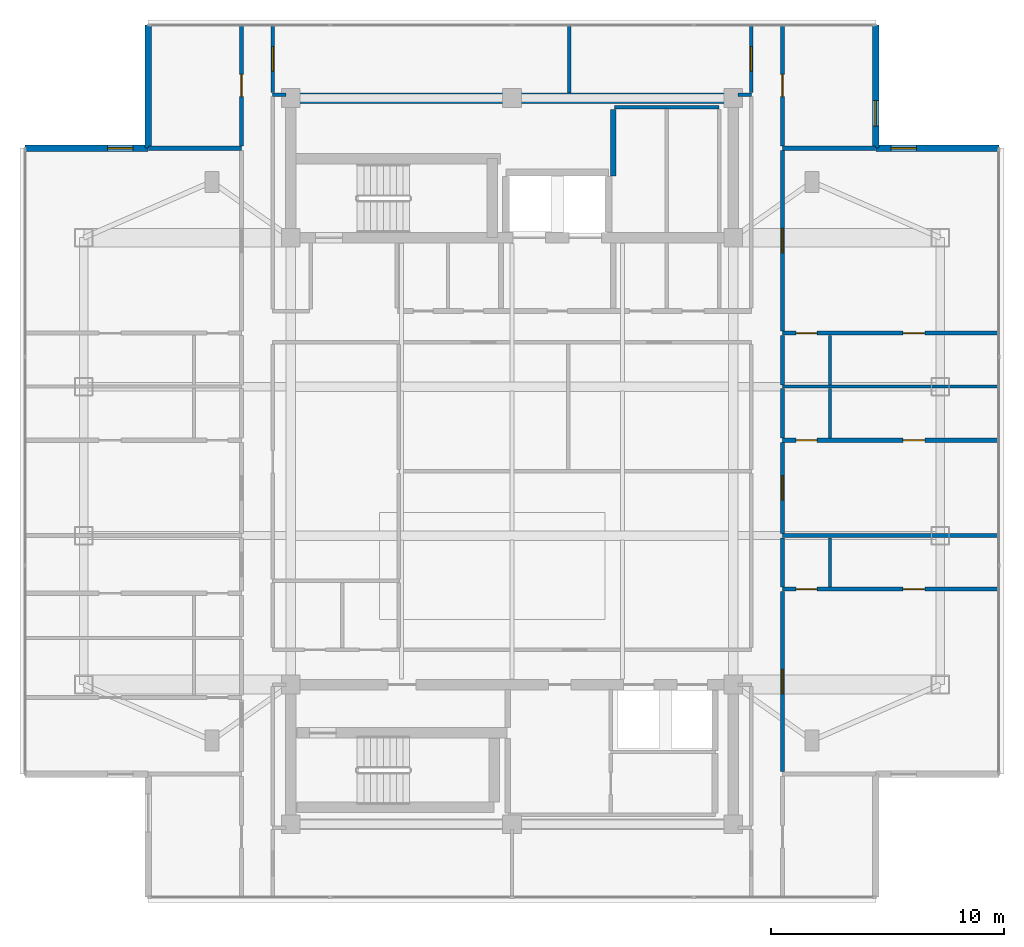
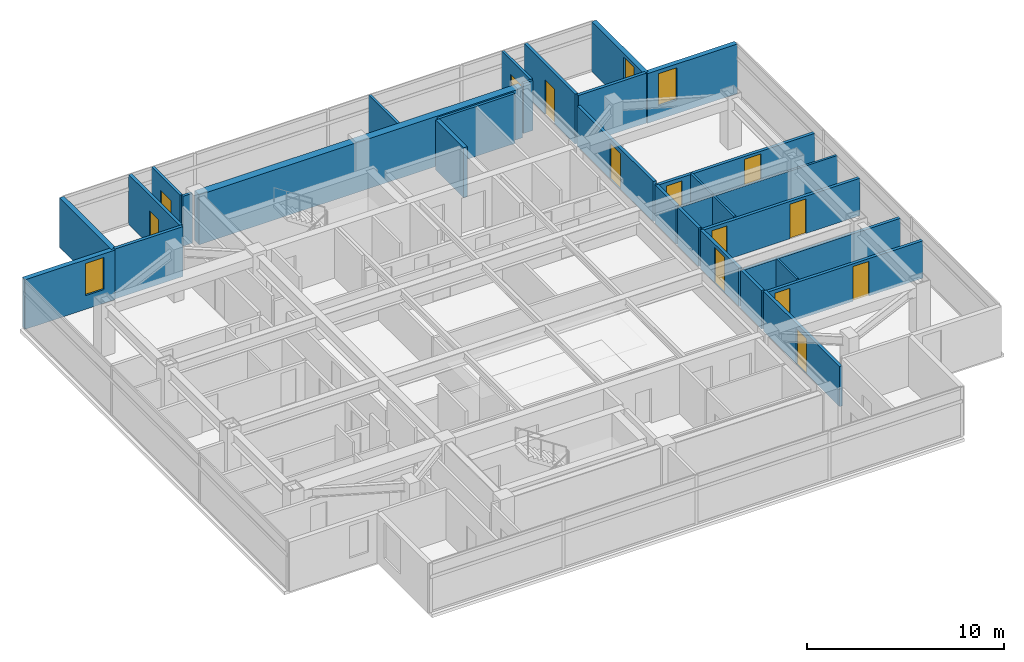
# One storey, part 10 of 15: 30 walls, 13 doors, 3 windows, 16 openings.
"""IFC4 building model written with IfcOpenShell, lengths in metres."""

from ifc_helpers import new_model, si_unit, direction, frame, frame_2d, origin, place, context, subcontext, project, spatial, rectangle, extrude, material, layer, layer_set, type_object, element, fill, save


model = new_model("IFC4")

# Units and contexts
model_context = context("Model", 3, precision=1e-05, world=origin(), true_north=direction((0.0, 1.0)))
body_context = subcontext(model_context, "Body", "Model", "MODEL_VIEW")
ifc_project = project(units=[si_unit("LENGTHUNIT", "METRE"), si_unit("AREAUNIT", "SQUARE_METRE"), si_unit("VOLUMEUNIT", "CUBIC_METRE"), si_unit("PLANEANGLEUNIT", "RADIAN"), si_unit("MASSUNIT", "GRAM", prefix="KILO")], contexts=[model_context])

# Site, building, storey
site_placement = place(None, origin())
site = spatial("IfcSite", under=ifc_project, at=site_placement, CompositionType="ELEMENT")
building_placement = place(site_placement, origin())
building = spatial("IfcBuilding", under=site, at=building_placement, Name="Mirazonda Arch Towers", CompositionType="ELEMENT")
storey_placement = place(building_placement, frame((0.0, 0.0, 229.300048828125)))
storey = spatial("IfcBuildingStorey", under=building, at=storey_placement, Name="L65", CompositionType="ELEMENT", Elevation=229.300048828125)

# Wall
ifc_material_1 = material(Name="Concrete C50/60", Category="concrete")
ifc_layer_1 = layer(ifc_material_1, 0.449951171875, Name="WALL-CORE-450")
ifc_layer_set_1 = layer_set([ifc_layer_1], Name="Concrete C50/60")
wall_type_1 = type_object("IfcWallType", Name="WALL-CORE-450", PredefinedType="SHEAR", material=ifc_layer_set_1)
wall_1_placement = place(storey_placement, frame((11.0, 43.60009765625, 0.0), z_axis=(0.0, 0.0, 1.0), x_axis=(1.0, 0.0, 0.0)))
element("IfcWall", 1, at=wall_1_placement, inside=storey, type_object=wall_type_1, Name="L65 T1N-N Core Shear Wall", PredefinedType="SHEAR", context=body_context, shape_type="SweptSolid", body=[
    extrude(rectangle(XDim=19.0, YDim=0.449951171875, at=frame_2d((9.5, 0.0))), origin(), (0.0, 0.0, 1.0), 3.099853515625),
])

# Wall, opening, window
ifc_material_2 = material(Name="Precast Concrete C40/50", Category="concrete")
ifc_layer_2 = layer(ifc_material_2, 0.280029296875, Name="WALL-EXT-WALL-280")
ifc_layer_set_2 = layer_set([ifc_layer_2], Name="Precast Concrete C40/50")
wall_type_2 = type_object("IfcWallType", Name="WALL-EXT-WALL-280", PredefinedType="SOLIDWALL", material=ifc_layer_set_2)
wall_2_placement = place(storey_placement, frame((36.1298828125, 41.444091796875, 0.0), z_axis=(0.0, 0.0, 1.0), x_axis=(0.0, 1.0, 0.0)))
wall_2 = element("IfcWall", 2, at=wall_2_placement, inside=storey, type_object=wall_type_2, Name="L65 T1 Notched NE Corner Wall WL-L65-T1-CNE", PredefinedType="SOLIDWALL", context=body_context, shape_type="SweptSolid", body=[
    extrude(rectangle(XDim=5.289794921875, YDim=0.280029296875, at=frame_2d((2.64501953125, 0.0))), origin(), (0.0, 0.0, 1.0), 3.079833984375),
])
opening_1_placement = place(wall_2_placement, frame((0.949951171875, 0.0, 0.85009765625)))
opening_1 = element("IfcOpeningElement", 3, at=opening_1_placement, cuts=wall_2, Name="Opening WN-108", PredefinedType="OPENING", context=body_context, shape_type="SweptSolid", body=[
    extrude(rectangle(XDim=1.10009765625, YDim=2.0, at=frame_2d((0.550048828125, 1.0))), frame((0.0, 0.14990234375, 0.0), z_axis=(0.0, -1.0, 0.0), x_axis=(1.0, 0.0, 0.0)), (0.0, 0.0, 1.0), 0.300048828125),
])
ifc_material_3 = material(Name="Insulated Low-E Solar Glass", Category="glass")
window_type = type_object("IfcWindowType", Name="WIN-NOTCH-1100x2000", PartitioningType="SINGLE_PANEL", PredefinedType="WINDOW", material=ifc_material_3)
window_1_placement = place(opening_1_placement, origin())
window_1 = element("IfcWindow", 4, at=window_1_placement, inside=storey, type_object=window_type, Name="L65 Punched Facade Window WN-L65-T1-CNE", OverallHeight=2.0, OverallWidth=1.10009765625, PartitioningType="SINGLE_PANEL", PredefinedType="WINDOW", context=body_context, shape_type="SweptSolid", body=[
    extrude(rectangle(XDim=1.10009765625, YDim=2.0, at=frame_2d((0.550048828125, 1.0))), frame((0.0, 0.030029296875, 0.0), z_axis=(0.0, -1.0, 0.0), x_axis=(1.0, 0.0, 0.0)), (0.0, 0.0, 1.0), 0.06005859375),
])
fill(opening_1, window_1)

wall_3_placement = place(storey_placement, frame((4.8701171875, 41.444091796875, 0.0), z_axis=(0.0, 0.0, 1.0), x_axis=(-1.0, 0.0, 0.0)))
wall_3 = element("IfcWall", 5, at=wall_3_placement, inside=storey, type_object=wall_type_2, Name="L65 T1 Corner Notch Return Wall WL-L65-T1-CNW1", PredefinedType="SOLIDWALL", context=body_context, shape_type="SweptSolid", body=[
    extrude(rectangle(XDim=5.2900390625, YDim=0.280029296875, at=frame_2d((2.64501953125, 0.0))), origin(), (0.0, 0.0, 1.0), 3.079833984375),
])
opening_2_placement = place(wall_3_placement, frame((0.64990234375, 0.0, 0.85009765625)))
opening_2 = element("IfcOpeningElement", 6, at=opening_2_placement, cuts=wall_3, Name="Opening WN-108", PredefinedType="OPENING", context=body_context, shape_type="SweptSolid", body=[
    extrude(rectangle(XDim=1.10009765625, YDim=2.0, at=frame_2d((0.550048828125, 1.0))), frame((0.0, 0.14990234375, 0.0), z_axis=(0.0, -1.0, 0.0), x_axis=(1.0, 0.0, 0.0)), (0.0, 0.0, 1.0), 0.300048828125),
])
window_2_placement = place(opening_2_placement, origin())
window_2 = element("IfcWindow", 7, at=window_2_placement, inside=storey, type_object=window_type, Name="L65 Punched Facade Window WN-L65-T1-CNW1", OverallHeight=2.0, OverallWidth=1.10009765625, PartitioningType="SINGLE_PANEL", PredefinedType="WINDOW", context=body_context, shape_type="SweptSolid", body=[
    extrude(rectangle(XDim=1.10009765625, YDim=2.0, at=frame_2d((0.550048828125, 1.0))), frame((0.0, 0.030029296875, 0.0), z_axis=(0.0, -1.0, 0.0), x_axis=(1.0, 0.0, 0.0)), (0.0, 0.0, 1.0), 0.06005859375),
])
fill(opening_2, window_2)

# Wall
wall_4_placement = place(storey_placement, frame((4.8701171875, 46.73388671875, 0.0), z_axis=(0.0, 0.0, 1.0), x_axis=(0.0, -1.0, 0.0)))
element("IfcWall", 8, at=wall_4_placement, inside=storey, type_object=wall_type_2, Name="L65 T1 Corner Notch Return Wall WL-L65-T1-CNW2", PredefinedType="SOLIDWALL", context=body_context, shape_type="SweptSolid", body=[
    extrude(rectangle(XDim=5.289794921875, YDim=0.280029296875, at=frame_2d((2.64501953125, 0.0))), origin(), (0.0, 0.0, 1.0), 3.079833984375),
])

# Wall, opening, window
wall_5_placement = place(storey_placement, frame((41.419921875, 41.444091796875, 0.0), z_axis=(0.0, 0.0, 1.0), x_axis=(-1.0, 0.0, 0.0)))
wall_5 = element("IfcWall", 9, at=wall_5_placement, inside=storey, type_object=wall_type_2, Name="L65 T1 Corner Notch Return Wall WL-L65-T1-CNE2", PredefinedType="SOLIDWALL", context=body_context, shape_type="SweptSolid", body=[
    extrude(rectangle(XDim=5.2900390625, YDim=0.280029296875, at=frame_2d((2.64501953125, 0.0))), origin(), (0.0, 0.0, 1.0), 3.079833984375),
])
opening_3_placement = place(wall_5_placement, frame((3.5400390625, 0.0, 0.85009765625)))
opening_3 = element("IfcOpeningElement", 10, at=opening_3_placement, cuts=wall_5, Name="Opening WN-108", PredefinedType="OPENING", context=body_context, shape_type="SweptSolid", body=[
    extrude(rectangle(XDim=1.10009765625, YDim=2.0, at=frame_2d((0.550048828125, 1.0))), frame((0.0, 0.14990234375, 0.0), z_axis=(0.0, -1.0, 0.0), x_axis=(1.0, 0.0, 0.0)), (0.0, 0.0, 1.0), 0.300048828125),
])
window_3_placement = place(opening_3_placement, origin())
window_3 = element("IfcWindow", 11, at=window_3_placement, inside=storey, type_object=window_type, Name="L65 Punched Facade Window WN-L65-T1-CNE2", OverallHeight=2.0, OverallWidth=1.10009765625, PartitioningType="SINGLE_PANEL", PredefinedType="WINDOW", context=body_context, shape_type="SweptSolid", body=[
    extrude(rectangle(XDim=1.10009765625, YDim=2.0, at=frame_2d((0.550048828125, 1.0))), frame((0.0, 0.030029296875, 0.0), z_axis=(0.0, -1.0, 0.0), x_axis=(1.0, 0.0, 0.0)), (0.0, 0.0, 1.0), 0.06005859375),
])
fill(opening_3, window_3)

# Walls
ifc_material_4 = material(Name="Concrete C40/50", Category="concrete")
ifc_layer_3 = layer(ifc_material_4, 0.219970703125, Name="WALL-FFL-220")
ifc_layer_set_3 = layer_set([ifc_layer_3], Name="Concrete C40/50")
wall_type_3 = type_object("IfcWallType", Name="WALL-FFL-220", PredefinedType="SOLIDWALL", material=ifc_layer_set_3)
wall_6_placement = place(storey_placement, frame((24.85009765625, 40.260009765625, 0.0), z_axis=(0.0, 0.0, 1.0), x_axis=(0.0, 1.0, 0.0)))
element("IfcWall", 12, at=wall_6_placement, inside=storey, type_object=wall_type_3, Name="L65 Interior Partition 074", PredefinedType="SOLIDWALL", context=body_context, shape_type="SweptSolid", body=[
    extrude(rectangle(XDim=2.85498046875, YDim=0.219970703125, at=frame_2d((1.427490234375, 0.0))), origin(), (0.0, 0.0, 1.0), 3.099853515625),
])
ifc_material_5 = material(Name="Fire-Rated Gypsum Stud Partition")
ifc_layer_4 = layer(ifc_material_5, 0.14990234375, Name="WALL-PART-CORR-150")
ifc_layer_set_4 = layer_set([ifc_layer_4], Name="Fire-Rated Gypsum Stud Partition")
wall_type_4 = type_object("IfcWallType", Name="WALL-PART-CORR-150", PredefinedType="PARTITIONING", material=ifc_layer_set_4)
wall_7_placement = place(storey_placement, frame((24.89990234375, 43.199951171875, 0.0), z_axis=(0.0, 0.0, 1.0), x_axis=(1.0, 0.0, 0.0)))
element("IfcWall", 13, at=wall_7_placement, inside=storey, type_object=wall_type_4, Name="L65 Interior Partition 032", PredefinedType="PARTITIONING", context=body_context, shape_type="SweptSolid", body=[
    extrude(rectangle(XDim=4.5, YDim=0.14990234375, at=frame_2d((2.25, 0.0))), origin(), (0.0, 0.0, 1.0), 3.099853515625),
])
for number, where, z_axis, x_axis, name in (
    (14, (10.219970703125, 43.75, 0.0), (0.0, 0.0, 1.0), (1.0, 0.0, 0.0), "L65 Interior Partition 033"),
    (15, (30.219970703125, 43.75, 0.0), (0.0, 0.0, 1.0), (1.0, 0.0, 0.0), "L65 Interior Partition 034"),
):
    element("IfcWall", number, at=place(storey_placement, frame(where, z_axis=z_axis, x_axis=x_axis)), inside=storey, type_object=wall_type_4, Name=name, PredefinedType="PARTITIONING", context=body_context, shape_type="SweptSolid", body=[
        extrude(rectangle(XDim=0.56005859375, YDim=0.14990234375, at=frame_2d((0.280029296875, 0.0))), origin(), (0.0, 0.0, 1.0), 3.099853515625),
    ])

# Wall, opening, door
wall_8_placement = place(storey_placement, frame((10.219970703125, 43.8349609375, 0.0), z_axis=(0.0, 0.0, 1.0), x_axis=(0.0, 1.0, 0.0)))
wall_8 = element("IfcWall", 16, at=wall_8_placement, inside=storey, type_object=wall_type_4, Name="L65 Interior Partition 054", PredefinedType="PARTITIONING", context=body_context, shape_type="SweptSolid", body=[
    extrude(rectangle(XDim=2.89892578125, YDim=0.14990234375, at=frame_2d((1.449462890625, 0.0))), origin(), (0.0, 0.0, 1.0), 3.099853515625),
])
opening_4_placement = place(wall_8_placement, frame((0.924560546875, 0.0, 0.0)))
opening_4 = element("IfcOpeningElement", 17, at=opening_4_placement, cuts=wall_8, Name="Opening DR-121", PredefinedType="OPENING", context=body_context, shape_type="SweptSolid", body=[
    extrude(rectangle(XDim=1.050048828125, YDim=2.199951171875, at=frame_2d((0.52490234375, 1.10009765625))), frame((0.0, 0.0849609375, 0.0), z_axis=(0.0, -1.0, 0.0), x_axis=(1.0, 0.0, 0.0)), (0.0, 0.0, 1.0), 0.169921875),
])
ifc_material_6 = material(Name="Architectural Brushed Steel S355", Category="steel")
door_type_1 = type_object("IfcDoorType", Name="DOOR-SUITE-FD60-1050", OperationType="NOTDEFINED", PredefinedType="DOOR", material=ifc_material_6)
door_1_placement = place(opening_4_placement, origin())
door_1 = element("IfcDoor", 18, at=door_1_placement, inside=storey, type_object=door_type_1, Name="L65 North Reading Salon West Door", OperationType="SINGLE_SWING_RIGHT", OverallHeight=2.199951171875, OverallWidth=1.050048828125, PredefinedType="DOOR", context=body_context, shape_type="SweptSolid", body=[
    extrude(rectangle(XDim=1.050048828125, YDim=2.199951171875, at=frame_2d((0.52490234375, 1.10009765625))), frame((0.0, 0.02490234375, 0.0), z_axis=(0.0, -1.0, 0.0), x_axis=(1.0, 0.0, 0.0)), (0.0, 0.0, 1.0), 0.050048828125),
])
fill(opening_4, door_1)

# Wall
wall_9_placement = place(storey_placement, frame((22.967041015625, 43.820068359375, 0.0), z_axis=(0.0, 0.0, 1.0), x_axis=(0.0, 1.0, 0.0)))
element("IfcWall", 19, at=wall_9_placement, inside=storey, type_object=wall_type_4, Name="L65 Interior Partition 069", PredefinedType="PARTITIONING", context=body_context, shape_type="SweptSolid", body=[
    extrude(rectangle(XDim=2.913818359375, YDim=0.14990234375, at=frame_2d((1.45703125, 0.0))), origin(), (0.0, 0.0, 1.0), 3.099853515625),
])

# Wall, opening, door
wall_10_placement = place(storey_placement, frame((30.780029296875, 43.8349609375, 0.0), z_axis=(0.0, 0.0, 1.0), x_axis=(0.0, 1.0, 0.0)))
wall_10 = element("IfcWall", 20, at=wall_10_placement, inside=storey, type_object=wall_type_4, Name="L65 Interior Partition 086", PredefinedType="PARTITIONING", context=body_context, shape_type="SweptSolid", body=[
    extrude(rectangle(XDim=2.89892578125, YDim=0.14990234375, at=frame_2d((1.449462890625, 0.0))), origin(), (0.0, 0.0, 1.0), 3.099853515625),
])
opening_5_placement = place(wall_10_placement, frame((0.924560546875, 0.0, 0.0)))
opening_5 = element("IfcOpeningElement", 21, at=opening_5_placement, cuts=wall_10, Name="Opening DR-121", PredefinedType="OPENING", context=body_context, shape_type="SweptSolid", body=[
    extrude(rectangle(XDim=1.050048828125, YDim=2.199951171875, at=frame_2d((0.52490234375, 1.10009765625))), frame((0.0, 0.0849609375, 0.0), z_axis=(0.0, -1.0, 0.0), x_axis=(1.0, 0.0, 0.0)), (0.0, 0.0, 1.0), 0.169921875),
])
door_2_placement = place(opening_5_placement, origin())
door_2 = element("IfcDoor", 22, at=door_2_placement, inside=storey, type_object=door_type_1, Name="L65 North Reading Salon East Door", OperationType="SINGLE_SWING_LEFT", OverallHeight=2.199951171875, OverallWidth=1.050048828125, PredefinedType="DOOR", context=body_context, shape_type="SweptSolid", body=[
    extrude(rectangle(XDim=1.050048828125, YDim=2.199951171875, at=frame_2d((0.52490234375, 1.10009765625))), frame((0.0, 0.02490234375, 0.0), z_axis=(0.0, -1.0, 0.0), x_axis=(1.0, 0.0, 0.0)), (0.0, 0.0, 1.0), 0.050048828125),
])
fill(opening_5, door_2)

# Wall, openings, doors
ifc_material_7 = material(Name="Fire-Rated Gypsum Twin-Stud Assembly")
ifc_layer_5 = layer(ifc_material_7, 0.179931640625, Name="WALL-PART-DEMISE-180")
ifc_layer_set_5 = layer_set([ifc_layer_5], Name="Fire-Rated Gypsum Twin-Stud Assembly")
wall_type_5 = type_object("IfcWallType", Name="WALL-PART-DEMISE-180", PredefinedType="PARTITIONING", material=ifc_layer_set_5)
wall_11_placement = place(storey_placement, frame((32.1201171875, 22.5, 0.0), z_axis=(0.0, 0.0, 1.0), x_axis=(1.0, 0.0, 0.0)))
wall_11 = element("IfcWall", 23, at=wall_11_placement, inside=storey, type_object=wall_type_5, Name="L65 Interior Partition 015", PredefinedType="PARTITIONING", context=body_context, shape_type="SweptSolid", body=[
    extrude(rectangle(XDim=9.2998046875, YDim=0.179931640625, at=frame_2d((4.64990234375, 0.0))), origin(), (0.0, 0.0, 1.0), 2.31884765625),
])
opening_6_placement = place(wall_11_placement, frame((5.175048828125, 0.0, 0.0)))
opening_6 = element("IfcOpeningElement", 24, at=opening_6_placement, cuts=wall_11, Name="Opening DR-104", PredefinedType="OPENING", context=body_context, shape_type="SweptSolid", body=[
    extrude(rectangle(XDim=0.949951171875, YDim=2.14990234375, at=frame_2d((0.47509765625, 1.074951171875))), frame((0.0, 0.099853515625, 0.0), z_axis=(0.0, -1.0, 0.0), x_axis=(1.0, 0.0, 0.0)), (0.0, 0.0, 1.0), 0.199951171875),
])
opening_7_placement = place(wall_11_placement, frame((0.590087890625, 0.0, 0.0)))
opening_7 = element("IfcOpeningElement", 25, at=opening_7_placement, cuts=wall_11, Name="Opening DR-120", PredefinedType="OPENING", context=body_context, shape_type="SweptSolid", body=[
    extrude(rectangle(XDim=0.89990234375, YDim=2.10009765625, at=frame_2d((0.449951171875, 1.050048828125))), frame((0.0, 0.099853515625, 0.0), z_axis=(0.0, -1.0, 0.0), x_axis=(1.0, 0.0, 0.0)), (0.0, 0.0, 1.0), 0.199951171875),
])
door_type_2 = type_object("IfcDoorType", Name="DOOR-ROOM-950", OperationType="NOTDEFINED", PredefinedType="DOOR", material=ifc_material_6)
door_3_placement = place(opening_6_placement, origin())
door_3 = element("IfcDoor", 26, at=door_3_placement, inside=storey, type_object=door_type_2, Name="L65 Suite Bedroom 1 Door", OperationType="SINGLE_SWING_LEFT", OverallHeight=2.14990234375, OverallWidth=0.949951171875, PredefinedType="DOOR", context=body_context, shape_type="SweptSolid", body=[
    extrude(rectangle(XDim=0.949951171875, YDim=2.14990234375, at=frame_2d((0.47509765625, 1.074951171875))), frame((0.0, 0.02490234375, 0.0), z_axis=(0.0, -1.0, 0.0), x_axis=(1.0, 0.0, 0.0)), (0.0, 0.0, 1.0), 0.050048828125),
])
fill(opening_6, door_3)
door_type_3 = type_object("IfcDoorType", Name="DOOR-WC-900", OperationType="NOTDEFINED", PredefinedType="DOOR", material=ifc_material_6)
door_4_placement = place(opening_7_placement, origin())
door_4 = element("IfcDoor", 27, at=door_4_placement, inside=storey, type_object=door_type_3, Name="L65 Suite En-Suite Bathroom 1 Door", OperationType="SINGLE_SWING_RIGHT", OverallHeight=2.10009765625, OverallWidth=0.89990234375, PredefinedType="DOOR", context=body_context, shape_type="SweptSolid", body=[
    extrude(rectangle(XDim=0.89990234375, YDim=2.10009765625, at=frame_2d((0.449951171875, 1.050048828125))), frame((0.0, 0.02490234375, 0.0), z_axis=(0.0, -1.0, 0.0), x_axis=(1.0, 0.0, 0.0)), (0.0, 0.0, 1.0), 0.050048828125),
])
fill(opening_7, door_4)

# Wall
wall_12_placement = place(storey_placement, frame((32.1201171875, 24.800048828125, 0.0), z_axis=(0.0, 0.0, 1.0), x_axis=(1.0, 0.0, 0.0)))
element("IfcWall", 28, at=wall_12_placement, inside=storey, type_object=wall_type_5, Name="L65 Interior Partition 018", PredefinedType="PARTITIONING", context=body_context, shape_type="SweptSolid", body=[
    extrude(rectangle(XDim=9.2998046875, YDim=0.179931640625, at=frame_2d((4.64990234375, 0.0))), origin(), (0.0, 0.0, 1.0), 2.31884765625),
])

# Wall, openings, doors
wall_13_placement = place(storey_placement, frame((32.1201171875, 28.89990234375, 0.0), z_axis=(0.0, 0.0, 1.0), x_axis=(1.0, 0.0, 0.0)))
wall_13 = element("IfcWall", 29, at=wall_13_placement, inside=storey, type_object=wall_type_5, Name="L65 Interior Partition 021", PredefinedType="PARTITIONING", context=body_context, shape_type="SweptSolid", body=[
    extrude(rectangle(XDim=9.2998046875, YDim=0.179931640625, at=frame_2d((4.64990234375, 0.0))), origin(), (0.0, 0.0, 1.0), 2.31884765625),
])
opening_8_placement = place(wall_13_placement, frame((5.175048828125, 0.0, 0.0)))
opening_8 = element("IfcOpeningElement", 30, at=opening_8_placement, cuts=wall_13, Name="Opening DR-104", PredefinedType="OPENING", context=body_context, shape_type="SweptSolid", body=[
    extrude(rectangle(XDim=0.949951171875, YDim=2.14990234375, at=frame_2d((0.47509765625, 1.074951171875))), frame((0.0, 0.099853515625, 0.0), z_axis=(0.0, -1.0, 0.0), x_axis=(1.0, 0.0, 0.0)), (0.0, 0.0, 1.0), 0.199951171875),
])
opening_9_placement = place(wall_13_placement, frame((0.590087890625, 0.0, 0.0)))
opening_9 = element("IfcOpeningElement", 31, at=opening_9_placement, cuts=wall_13, Name="Opening DR-120", PredefinedType="OPENING", context=body_context, shape_type="SweptSolid", body=[
    extrude(rectangle(XDim=0.89990234375, YDim=2.10009765625, at=frame_2d((0.449951171875, 1.050048828125))), frame((0.0, 0.099853515625, 0.0), z_axis=(0.0, -1.0, 0.0), x_axis=(1.0, 0.0, 0.0)), (0.0, 0.0, 1.0), 0.199951171875),
])
door_5_placement = place(opening_8_placement, origin())
door_5 = element("IfcDoor", 32, at=door_5_placement, inside=storey, type_object=door_type_2, Name="L65 Suite Bedroom 2 Door", OperationType="SINGLE_SWING_RIGHT", OverallHeight=2.14990234375, OverallWidth=0.949951171875, PredefinedType="DOOR", context=body_context, shape_type="SweptSolid", body=[
    extrude(rectangle(XDim=0.949951171875, YDim=2.14990234375, at=frame_2d((0.47509765625, 1.074951171875))), frame((0.0, 0.02490234375, 0.0), z_axis=(0.0, -1.0, 0.0), x_axis=(1.0, 0.0, 0.0)), (0.0, 0.0, 1.0), 0.050048828125),
])
fill(opening_8, door_5)
door_6_placement = place(opening_9_placement, origin())
door_6 = element("IfcDoor", 33, at=door_6_placement, inside=storey, type_object=door_type_3, Name="L65 Suite En-Suite Bathroom 2 Door", OperationType="SINGLE_SWING_LEFT", OverallHeight=2.10009765625, OverallWidth=0.89990234375, PredefinedType="DOOR", context=body_context, shape_type="SweptSolid", body=[
    extrude(rectangle(XDim=0.89990234375, YDim=2.10009765625, at=frame_2d((0.449951171875, 1.050048828125))), frame((0.0, 0.02490234375, 0.0), z_axis=(0.0, -1.0, 0.0), x_axis=(1.0, 0.0, 0.0)), (0.0, 0.0, 1.0), 0.050048828125),
])
fill(opening_9, door_6)

wall_14_placement = place(storey_placement, frame((32.1201171875, 33.5, 0.0), z_axis=(0.0, 0.0, 1.0), x_axis=(1.0, 0.0, 0.0)))
wall_14 = element("IfcWall", 34, at=wall_14_placement, inside=storey, type_object=wall_type_5, Name="L65 Interior Partition 026", PredefinedType="PARTITIONING", context=body_context, shape_type="SweptSolid", body=[
    extrude(rectangle(XDim=9.2998046875, YDim=0.179931640625, at=frame_2d((4.64990234375, 0.0))), origin(), (0.0, 0.0, 1.0), 2.31884765625),
])
opening_10_placement = place(wall_14_placement, frame((5.175048828125, 0.0, 0.0)))
opening_10 = element("IfcOpeningElement", 35, at=opening_10_placement, cuts=wall_14, Name="Opening DR-104", PredefinedType="OPENING", context=body_context, shape_type="SweptSolid", body=[
    extrude(rectangle(XDim=0.949951171875, YDim=2.14990234375, at=frame_2d((0.47509765625, 1.074951171875))), frame((0.0, 0.099853515625, 0.0), z_axis=(0.0, -1.0, 0.0), x_axis=(1.0, 0.0, 0.0)), (0.0, 0.0, 1.0), 0.199951171875),
])
opening_11_placement = place(wall_14_placement, frame((0.590087890625, 0.0, 0.0)))
opening_11 = element("IfcOpeningElement", 36, at=opening_11_placement, cuts=wall_14, Name="Opening DR-120", PredefinedType="OPENING", context=body_context, shape_type="SweptSolid", body=[
    extrude(rectangle(XDim=0.89990234375, YDim=2.10009765625, at=frame_2d((0.449951171875, 1.050048828125))), frame((0.0, 0.099853515625, 0.0), z_axis=(0.0, -1.0, 0.0), x_axis=(1.0, 0.0, 0.0)), (0.0, 0.0, 1.0), 0.199951171875),
])
door_7_placement = place(opening_10_placement, origin())
door_7 = element("IfcDoor", 37, at=door_7_placement, inside=storey, type_object=door_type_2, Name="L65 Suite Bedroom 3 Door", OperationType="SINGLE_SWING_LEFT", OverallHeight=2.14990234375, OverallWidth=0.949951171875, PredefinedType="DOOR", context=body_context, shape_type="SweptSolid", body=[
    extrude(rectangle(XDim=0.949951171875, YDim=2.14990234375, at=frame_2d((0.47509765625, 1.074951171875))), frame((0.0, 0.02490234375, 0.0), z_axis=(0.0, -1.0, 0.0), x_axis=(1.0, 0.0, 0.0)), (0.0, 0.0, 1.0), 0.050048828125),
])
fill(opening_10, door_7)
door_8_placement = place(opening_11_placement, origin())
door_8 = element("IfcDoor", 38, at=door_8_placement, inside=storey, type_object=door_type_3, Name="L65 Suite En-Suite Bathroom 3 Door", OperationType="SINGLE_SWING_RIGHT", OverallHeight=2.10009765625, OverallWidth=0.89990234375, PredefinedType="DOOR", context=body_context, shape_type="SweptSolid", body=[
    extrude(rectangle(XDim=0.89990234375, YDim=2.10009765625, at=frame_2d((0.449951171875, 1.050048828125))), frame((0.0, 0.02490234375, 0.0), z_axis=(0.0, -1.0, 0.0), x_axis=(1.0, 0.0, 0.0)), (0.0, 0.0, 1.0), 0.050048828125),
])
fill(opening_11, door_8)

# Walls
for number, where, z_axis, x_axis, name in (
    (39, (4.889892578125, 41.444091796875, 0.0), (0.0, 0.0, 1.0), (1.0, 0.0, 0.0), "L65 Interior Partition 030"),
    (40, (32.1201171875, 41.444091796875, 0.0), (0.0, 0.0, 1.0), (1.0, 0.0, 0.0), "L65 Interior Partition 031"),
):
    element("IfcWall", number, at=place(storey_placement, frame(where, z_axis=z_axis, x_axis=x_axis)), inside=storey, type_object=wall_type_5, Name=name, PredefinedType="PARTITIONING", context=body_context, shape_type="SweptSolid", body=[
        extrude(rectangle(XDim=3.989990234375, YDim=0.179931640625, at=frame_2d((1.9951171875, 0.0))), origin(), (0.0, 0.0, 1.0), 3.099853515625),
    ])

# Wall, opening, door
wall_15_placement = place(storey_placement, frame((8.8798828125, 41.5439453125, 0.0), z_axis=(0.0, 0.0, 1.0), x_axis=(0.0, 1.0, 0.0)))
wall_15 = element("IfcWall", 41, at=wall_15_placement, inside=storey, type_object=wall_type_5, Name="L65 Interior Partition 048", PredefinedType="PARTITIONING", context=body_context, shape_type="SweptSolid", body=[
    extrude(rectangle(XDim=5.18994140625, YDim=0.179931640625, at=frame_2d((2.594970703125, 0.0))), origin(), (0.0, 0.0, 1.0), 3.099853515625),
])
opening_12_placement = place(wall_15_placement, frame((2.1201171875, 0.0, 0.0)))
opening_12 = element("IfcOpeningElement", 42, at=opening_12_placement, cuts=wall_15, Name="Opening DR-104", PredefinedType="OPENING", context=body_context, shape_type="SweptSolid", body=[
    extrude(rectangle(XDim=0.949951171875, YDim=2.14990234375, at=frame_2d((0.47509765625, 1.074951171875))), frame((0.0, 0.099853515625, 0.0), z_axis=(0.0, -1.0, 0.0), x_axis=(1.0, 0.0, 0.0)), (0.0, 0.0, 1.0), 0.199951171875),
])
door_9_placement = place(opening_12_placement, origin())
door_9 = element("IfcDoor", 43, at=door_9_placement, inside=storey, type_object=door_type_2, Name="L65 North Reading Salon Alcove West Door", OperationType="SINGLE_SWING_RIGHT", OverallHeight=2.14990234375, OverallWidth=0.949951171875, PredefinedType="DOOR", context=body_context, shape_type="SweptSolid", body=[
    extrude(rectangle(XDim=0.949951171875, YDim=2.14990234375, at=frame_2d((0.47509765625, 1.074951171875))), frame((0.0, 0.02490234375, 0.0), z_axis=(0.0, -1.0, 0.0), x_axis=(1.0, 0.0, 0.0)), (0.0, 0.0, 1.0), 0.050048828125),
])
fill(opening_12, door_9)

wall_16_placement = place(storey_placement, frame((32.1201171875, 14.656005859375, 0.0), z_axis=(0.0, 0.0, 1.0), x_axis=(0.0, 1.0, 0.0)))
wall_16 = element("IfcWall", 44, at=wall_16_placement, inside=storey, type_object=wall_type_5, Name="L65 Interior Partition 088", PredefinedType="PARTITIONING", context=body_context, shape_type="SweptSolid", body=[
    extrude(rectangle(XDim=7.743896484375, YDim=0.179931640625, at=frame_2d((3.8720703125, 0.0))), origin(), (0.0, 0.0, 1.0), 2.491943359375),
])
opening_13_placement = place(wall_16_placement, frame((3.346923828125, 0.0, 0.0)))
opening_13 = element("IfcOpeningElement", 45, at=opening_13_placement, cuts=wall_16, Name="Opening DR-121", PredefinedType="OPENING", context=body_context, shape_type="SweptSolid", body=[
    extrude(rectangle(XDim=1.050048828125, YDim=2.199951171875, at=frame_2d((0.52490234375, 1.10009765625))), frame((0.0, 0.099853515625, 0.0), z_axis=(0.0, -1.0, 0.0), x_axis=(1.0, 0.0, 0.0)), (0.0, 0.0, 1.0), 0.199951171875),
])
door_10_placement = place(opening_13_placement, origin())
door_10 = element("IfcDoor", 46, at=door_10_placement, inside=storey, type_object=door_type_1, Name="L65 Presidential Hotel Suite 1 Door", OperationType="SINGLE_SWING_RIGHT", OverallHeight=2.199951171875, OverallWidth=1.050048828125, PredefinedType="DOOR", context=body_context, shape_type="SweptSolid", body=[
    extrude(rectangle(XDim=1.050048828125, YDim=2.199951171875, at=frame_2d((0.52490234375, 1.10009765625))), frame((0.0, 0.02490234375, 0.0), z_axis=(0.0, -1.0, 0.0), x_axis=(1.0, 0.0, 0.0)), (0.0, 0.0, 1.0), 0.050048828125),
])
fill(opening_13, door_10)

# Wall
wall_17_placement = place(storey_placement, frame((32.1201171875, 22.60009765625, 0.0), z_axis=(0.0, 0.0, 1.0), x_axis=(0.0, 1.0, 0.0)))
element("IfcWall", 47, at=wall_17_placement, inside=storey, type_object=wall_type_5, Name="L65 Interior Partition 089", PredefinedType="PARTITIONING", context=body_context, shape_type="SweptSolid", body=[
    extrude(rectangle(XDim=2.099853515625, YDim=0.179931640625, at=frame_2d((1.0498046875, 0.0))), origin(), (0.0, 0.0, 1.0), 2.39599609375),
])

# Wall, opening, door
wall_18_placement = place(storey_placement, frame((32.1201171875, 24.89990234375, 0.0), z_axis=(0.0, 0.0, 1.0), x_axis=(0.0, 1.0, 0.0)))
wall_18 = element("IfcWall", 48, at=wall_18_placement, inside=storey, type_object=wall_type_5, Name="L65 Interior Partition 090", PredefinedType="PARTITIONING", context=body_context, shape_type="SweptSolid", body=[
    extrude(rectangle(XDim=3.900146484375, YDim=0.179931640625, at=frame_2d((1.9501953125, 0.0))), origin(), (0.0, 0.0, 1.0), 2.39599609375),
])
opening_14_placement = place(wall_18_placement, frame((1.425048828125, 0.0, 0.0)))
opening_14 = element("IfcOpeningElement", 49, at=opening_14_placement, cuts=wall_18, Name="Opening DR-121", PredefinedType="OPENING", context=body_context, shape_type="SweptSolid", body=[
    extrude(rectangle(XDim=1.050048828125, YDim=2.199951171875, at=frame_2d((0.52490234375, 1.10009765625))), frame((0.0, 0.099853515625, 0.0), z_axis=(0.0, -1.0, 0.0), x_axis=(1.0, 0.0, 0.0)), (0.0, 0.0, 1.0), 0.199951171875),
])
door_11_placement = place(opening_14_placement, origin())
door_11 = element("IfcDoor", 50, at=door_11_placement, inside=storey, type_object=door_type_1, Name="L65 Deluxe Suite Living Room 2 Door", OperationType="SINGLE_SWING_LEFT", OverallHeight=2.199951171875, OverallWidth=1.050048828125, PredefinedType="DOOR", context=body_context, shape_type="SweptSolid", body=[
    extrude(rectangle(XDim=1.050048828125, YDim=2.199951171875, at=frame_2d((0.52490234375, 1.10009765625))), frame((0.0, 0.02490234375, 0.0), z_axis=(0.0, -1.0, 0.0), x_axis=(1.0, 0.0, 0.0)), (0.0, 0.0, 1.0), 0.050048828125),
])
fill(opening_14, door_11)

# Walls
for number, where, z_axis, x_axis, name in (
    (51, (32.1201171875, 29.0, 0.0), (0.0, 0.0, 1.0), (0.0, 1.0, 0.0), "L65 Interior Partition 091"),
    (52, (32.1201171875, 31.2724609375, 0.0), (0.0, 0.0, 1.0), (0.0, 1.0, 0.0), "L65 Interior Partition 092"),
):
    element("IfcWall", number, at=place(storey_placement, frame(where, z_axis=z_axis, x_axis=x_axis)), inside=storey, type_object=wall_type_5, Name=name, PredefinedType="PARTITIONING", context=body_context, shape_type="SweptSolid", body=[
        extrude(rectangle(XDim=2.12744140625, YDim=0.179931640625, at=frame_2d((1.063720703125, 0.0))), origin(), (0.0, 0.0, 1.0), 2.39599609375),
    ])

# Wall, opening, door
wall_19_placement = place(storey_placement, frame((32.1201171875, 33.60009765625, 0.0), z_axis=(0.0, 0.0, 1.0), x_axis=(0.0, 1.0, 0.0)))
wall_19 = element("IfcWall", 53, at=wall_19_placement, inside=storey, type_object=wall_type_5, Name="L65 Interior Partition 093", PredefinedType="PARTITIONING", context=body_context, shape_type="SweptSolid", body=[
    extrude(rectangle(XDim=7.743896484375, YDim=0.179931640625, at=frame_2d((3.8720703125, 0.0))), origin(), (0.0, 0.0, 1.0), 2.491943359375),
])
opening_15_placement = place(wall_19_placement, frame((3.346923828125, 0.0, 0.0)))
opening_15 = element("IfcOpeningElement", 54, at=opening_15_placement, cuts=wall_19, Name="Opening DR-121", PredefinedType="OPENING", context=body_context, shape_type="SweptSolid", body=[
    extrude(rectangle(XDim=1.050048828125, YDim=2.199951171875, at=frame_2d((0.52490234375, 1.10009765625))), frame((0.0, 0.099853515625, 0.0), z_axis=(0.0, -1.0, 0.0), x_axis=(1.0, 0.0, 0.0)), (0.0, 0.0, 1.0), 0.199951171875),
])
door_12_placement = place(opening_15_placement, origin())
door_12 = element("IfcDoor", 55, at=door_12_placement, inside=storey, type_object=door_type_1, Name="L65 Presidential Hotel Suite 3 Door", OperationType="SINGLE_SWING_RIGHT", OverallHeight=2.199951171875, OverallWidth=1.050048828125, PredefinedType="DOOR", context=body_context, shape_type="SweptSolid", body=[
    extrude(rectangle(XDim=1.050048828125, YDim=2.199951171875, at=frame_2d((0.52490234375, 1.10009765625))), frame((0.0, 0.02490234375, 0.0), z_axis=(0.0, -1.0, 0.0), x_axis=(1.0, 0.0, 0.0)), (0.0, 0.0, 1.0), 0.050048828125),
])
fill(opening_15, door_12)

wall_20_placement = place(storey_placement, frame((32.1201171875, 41.5439453125, 0.0), z_axis=(0.0, 0.0, 1.0), x_axis=(0.0, 1.0, 0.0)))
wall_20 = element("IfcWall", 56, at=wall_20_placement, inside=storey, type_object=wall_type_5, Name="L65 Interior Partition 094", PredefinedType="PARTITIONING", context=body_context, shape_type="SweptSolid", body=[
    extrude(rectangle(XDim=5.18994140625, YDim=0.179931640625, at=frame_2d((2.594970703125, 0.0))), origin(), (0.0, 0.0, 1.0), 3.099853515625),
])
opening_16_placement = place(wall_20_placement, frame((2.1201171875, 0.0, 0.0)))
opening_16 = element("IfcOpeningElement", 57, at=opening_16_placement, cuts=wall_20, Name="Opening DR-104", PredefinedType="OPENING", context=body_context, shape_type="SweptSolid", body=[
    extrude(rectangle(XDim=0.949951171875, YDim=2.14990234375, at=frame_2d((0.47509765625, 1.074951171875))), frame((0.0, 0.099853515625, 0.0), z_axis=(0.0, -1.0, 0.0), x_axis=(1.0, 0.0, 0.0)), (0.0, 0.0, 1.0), 0.199951171875),
])
door_13_placement = place(opening_16_placement, origin())
door_13 = element("IfcDoor", 58, at=door_13_placement, inside=storey, type_object=door_type_2, Name="L65 North Reading Salon Alcove East Door", OperationType="SINGLE_SWING_LEFT", OverallHeight=2.14990234375, OverallWidth=0.949951171875, PredefinedType="DOOR", context=body_context, shape_type="SweptSolid", body=[
    extrude(rectangle(XDim=0.949951171875, YDim=2.14990234375, at=frame_2d((0.47509765625, 1.074951171875))), frame((0.0, 0.02490234375, 0.0), z_axis=(0.0, -1.0, 0.0), x_axis=(1.0, 0.0, 0.0)), (0.0, 0.0, 1.0), 0.050048828125),
])
fill(opening_16, door_13)

# Walls
ifc_material_8 = material(Name="Acoustic Fire-Rated Gypsum Partition")
ifc_layer_6 = layer(ifc_material_8, 0.125, Name="WALL-PART-UNIT-125")
ifc_layer_set_6 = layer_set([ifc_layer_6], Name="Acoustic Fire-Rated Gypsum Partition")
wall_type_6 = type_object("IfcWallType", Name="WALL-PART-UNIT-125", PredefinedType="PARTITIONING", material=ifc_layer_set_6)
wall_21_placement = place(storey_placement, frame((32.1201171875, 31.199951171875, 0.0), z_axis=(0.0, 0.0, 1.0), x_axis=(1.0, 0.0, 0.0)))
element("IfcWall", 59, at=wall_21_placement, inside=storey, type_object=wall_type_6, Name="L65 Interior Partition 023", PredefinedType="PARTITIONING", context=body_context, shape_type="SweptSolid", body=[
    extrude(rectangle(XDim=9.2998046875, YDim=0.125, at=frame_2d((4.64990234375, 0.0))), origin(), (0.0, 0.0, 1.0), 2.31884765625),
])
wall_22_placement = place(storey_placement, frame((34.159912109375, 22.60009765625, 0.0), z_axis=(0.0, 0.0, 1.0), x_axis=(0.0, 1.0, 0.0)))
element("IfcWall", 60, at=wall_22_placement, inside=storey, type_object=wall_type_6, Name="L65 Interior Partition 095", PredefinedType="PARTITIONING", context=body_context, shape_type="SweptSolid", body=[
    extrude(rectangle(XDim=2.099853515625, YDim=0.125, at=frame_2d((1.0498046875, 0.0))), origin(), (0.0, 0.0, 1.0), 2.39599609375),
])
for number, where, z_axis, x_axis, name in (
    (61, (34.159912109375, 29.0, 0.0), (0.0, 0.0, 1.0), (0.0, 1.0, 0.0), "L65 Interior Partition 096"),
    (62, (34.159912109375, 31.2724609375, 0.0), (0.0, 0.0, 1.0), (0.0, 1.0, 0.0), "L65 Interior Partition 097"),
):
    element("IfcWall", number, at=place(storey_placement, frame(where, z_axis=z_axis, x_axis=x_axis)), inside=storey, type_object=wall_type_6, Name=name, PredefinedType="PARTITIONING", context=body_context, shape_type="SweptSolid", body=[
        extrude(rectangle(XDim=2.12744140625, YDim=0.125, at=frame_2d((1.063720703125, 0.0))), origin(), (0.0, 0.0, 1.0), 2.39599609375),
    ])

save(model, "model.ifc")
